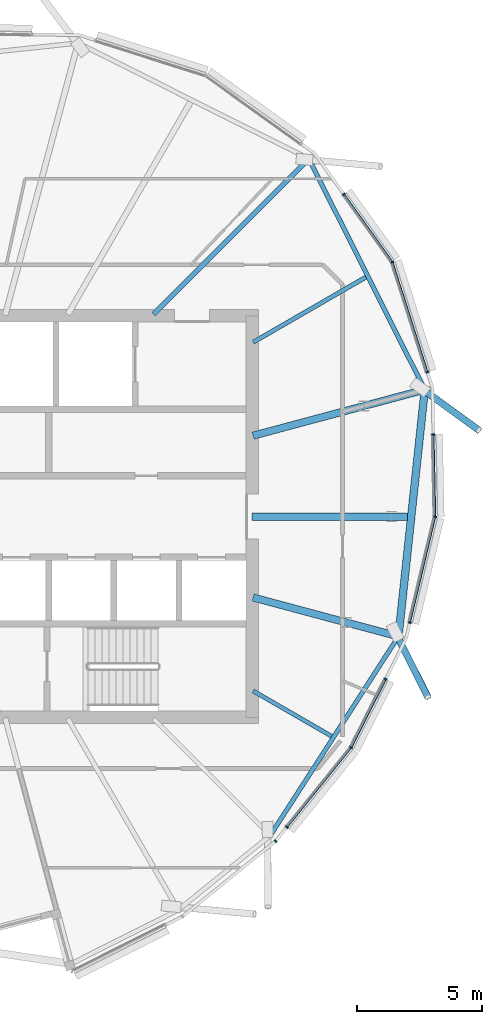
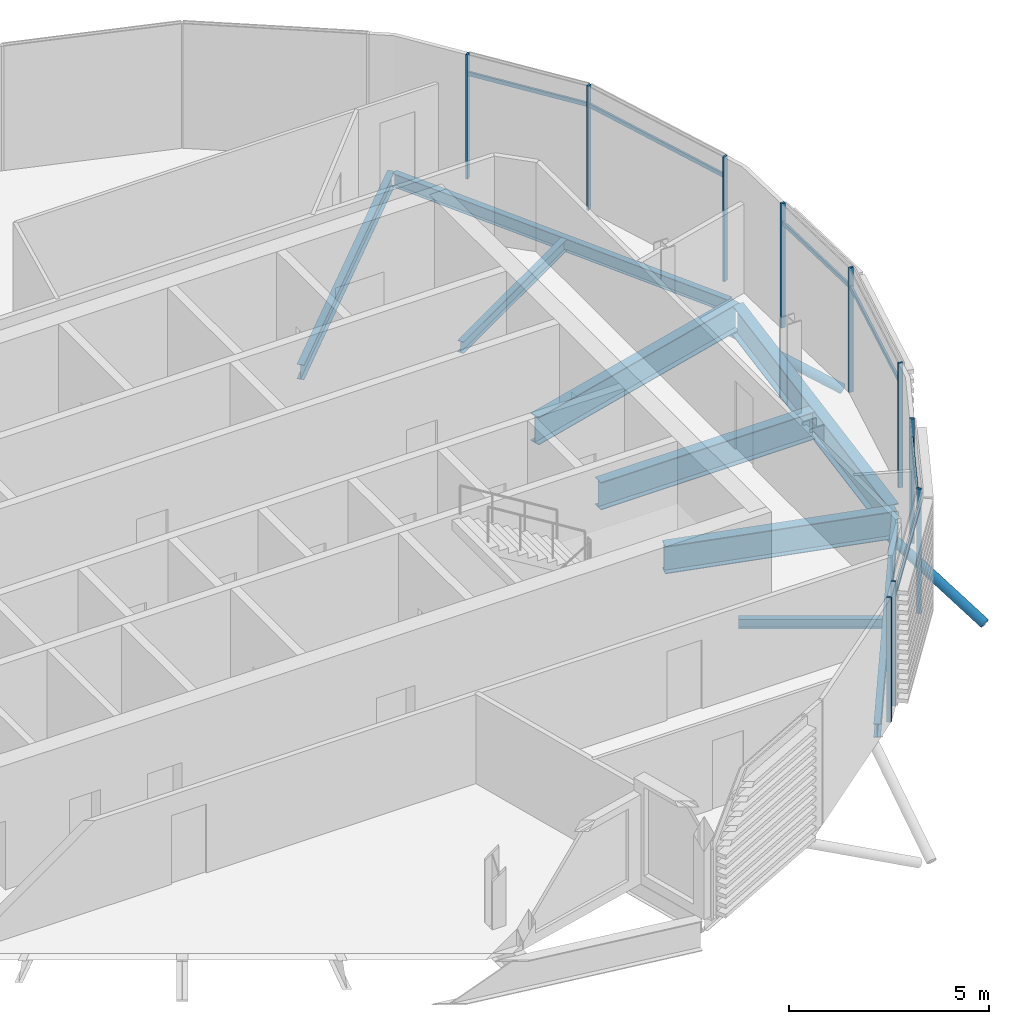
# One storey, part 13 of 33: 18 members, 9 beams, 1 element without a shape of its own.
"""IFC4 building model written with IfcOpenShell, lengths in metres."""

from ifc_helpers import new_model, si_unit, direction, frame, origin, origin_2d, place, context, subcontext, project, spatial, rectangle, hollow_circle, i_section, extrude, clip, halfspace, material, material_profile, profile_set, type_object, element, aggregate, save


model = new_model("IFC4")

# Units and contexts
model_context = context("Model", 3, precision=1e-05, world=origin(), true_north=direction((0.0, 1.0)))
body_context = subcontext(model_context, "Body", "Model", "MODEL_VIEW")
ifc_project = project(units=[si_unit("LENGTHUNIT", "METRE"), si_unit("AREAUNIT", "SQUARE_METRE"), si_unit("VOLUMEUNIT", "CUBIC_METRE"), si_unit("PLANEANGLEUNIT", "RADIAN"), si_unit("MASSUNIT", "GRAM", prefix="KILO")], contexts=[model_context])

# Site, building, storey
site_placement = place(None, origin())
site = spatial("IfcSite", under=ifc_project, at=site_placement, CompositionType="ELEMENT")
building_placement = place(site_placement, origin())
building = spatial("IfcBuilding", under=site, at=building_placement, Name="Rimbun Link Towers", CompositionType="ELEMENT")
storey_placement = place(building_placement, frame((0.0, 0.0, 240.89990234375)))
storey = spatial("IfcBuildingStorey", under=building, at=storey_placement, Name="L59", CompositionType="ELEMENT", Elevation=240.89990234375)

# Curtain wall, members
ifc_material_1 = material(Name="Aluminium 6063-T6 and low-iron glass", Category="aluminium")
curtain_wall_type = type_object("IfcCurtainWallType", Name="CW1-Z4 unitised vision wall (zone 4)", PredefinedType="NOTDEFINED", material=ifc_material_1)
curtain_wall_placement = place(storey_placement, origin())
curtain_wall = element("IfcCurtainWall", 1, at=curtain_wall_placement, inside=storey, type_object=curtain_wall_type, Name="CW1 L59 T2", PredefinedType="NOTDEFINED")
ifc_material_2 = material(Name="Aluminium 6063-T6", Category="aluminium")
ifc_material_profile_1 = material_profile(ifc_material_2, rectangle(XDim=0.1201171875, YDim=0.06005859375, at=origin_2d()), Name="MULLION 60X120")
ifc_profile_set_1 = profile_set([ifc_material_profile_1], Name="Aluminium 6063-T6")
member_type_1 = type_object("IfcMemberType", Name="CW1 mullion 60X120", PredefinedType="MULLION", material=ifc_profile_set_1)
member_1_placement = place(storey_placement, frame((44.68310546875, -12.942138671875, 0.0), z_axis=(0.0, 0.0, 1.0), x_axis=(0.629148262313, -0.777285317003, 0.0)))
member_1 = element("IfcMember", 2, at=member_1_placement, type_object=member_type_1, Name="CW1 mullion", PredefinedType="MULLION", context=body_context, shape_type="SweptSolid", body=[
    extrude(rectangle(XDim=0.1201171875, YDim=0.06005859375, at=origin_2d()), origin(), (0.0, 0.0, 1.0), 3.800048828125),
])
member_2_placement = place(storey_placement, frame((47.702392578125, -9.213623046875, 0.0), z_axis=(0.0, 0.0, 1.0), x_axis=(0.840317451193, -0.542094623862, 0.0)))
member_2 = element("IfcMember", 3, at=member_2_placement, type_object=member_type_1, Name="CW1 mullion", PredefinedType="MULLION", context=body_context, shape_type="SweptSolid", body=[
    extrude(rectangle(XDim=0.1201171875, YDim=0.06005859375, at=origin_2d()), origin(), (0.0, 0.0, 1.0), 3.800048828125),
])
member_3_placement = place(storey_placement, frame((45.13232421875, -12.38916015625, 0.0), z_axis=(0.0, 0.0, 1.0), x_axis=(0.777285317003, -0.629148262313, 0.0)))
member_3 = element("IfcMember", 4, at=member_3_placement, type_object=member_type_1, Name="CW1 mullion", PredefinedType="MULLION", context=body_context, shape_type="SweptSolid", body=[
    extrude(rectangle(XDim=0.1201171875, YDim=0.06005859375, at=origin_2d()), origin(), (0.0, 0.0, 1.0), 3.800048828125),
])
member_4_placement = place(storey_placement, frame((49.075439453125, -6.47998046875, 0.0), z_axis=(0.0, 0.0, 1.0), x_axis=(0.893642754219, -0.448779041213, 0.0)))
member_4 = element("IfcMember", 5, at=member_4_placement, type_object=member_type_1, Name="CW1 mullion", PredefinedType="MULLION", context=body_context, shape_type="SweptSolid", body=[
    extrude(rectangle(XDim=0.1201171875, YDim=0.06005859375, at=origin_2d()), origin(), (0.0, 0.0, 1.0), 3.800048828125),
])
member_5_placement = place(storey_placement, frame((51.0478515625, -0.00634765625, 0.0), z_axis=(0.0, 0.0, 1.0), x_axis=(0.994297670519, -0.106640247566, 0.0)))
member_5 = element("IfcMember", 6, at=member_5_placement, type_object=member_type_1, Name="CW1 mullion", PredefinedType="MULLION", context=body_context, shape_type="SweptSolid", body=[
    extrude(rectangle(XDim=0.1201171875, YDim=0.06005859375, at=origin_2d()), origin(), (0.0, 0.0, 1.0), 3.800048828125),
])
member_6_placement = place(storey_placement, frame((50.039306640625, -4.22607421875, 0.0), z_axis=(0.0, 0.0, 1.0), x_axis=(0.972571783307, -0.23260293703, 0.0)))
member_6 = element("IfcMember", 7, at=member_6_placement, type_object=member_type_1, Name="CW1 mullion", PredefinedType="MULLION", context=body_context, shape_type="SweptSolid", body=[
    extrude(rectangle(XDim=0.1201171875, YDim=0.06005859375, at=origin_2d()), origin(), (0.0, 0.0, 1.0), 3.800048828125),
])
member_7_placement = place(storey_placement, frame((50.979248046875, 3.277587890625, 0.0), z_axis=(0.0, 0.0, 1.0), x_axis=(0.999778112574, 0.021064795684, 0.0)))
member_7 = element("IfcMember", 8, at=member_7_placement, type_object=member_type_1, Name="CW1 mullion", PredefinedType="MULLION", context=body_context, shape_type="SweptSolid", body=[
    extrude(rectangle(XDim=0.1201171875, YDim=0.06005859375, at=origin_2d()), origin(), (0.0, 0.0, 1.0), 3.800048828125),
])
member_8_placement = place(storey_placement, frame((49.343505859375, 10.153564453125, 0.0), z_axis=(0.0, 0.0, 1.0), x_axis=(0.893746586505, 0.448572222848, 0.0)))
member_8 = element("IfcMember", 9, at=member_8_placement, type_object=member_type_1, Name="CW1 mullion", PredefinedType="MULLION", context=body_context, shape_type="SweptSolid", body=[
    extrude(rectangle(XDim=0.1201171875, YDim=0.06005859375, at=origin_2d()), origin(), (0.0, 0.0, 1.0), 3.800048828125),
])
member_9_placement = place(storey_placement, frame((50.740478515625, 5.763427734375, 0.0), z_axis=(0.0, 0.0, 1.0), x_axis=(0.952967816288, 0.303071511559, 0.0)))
member_9 = element("IfcMember", 10, at=member_9_placement, type_object=member_type_1, Name="CW1 mullion", PredefinedType="MULLION", context=body_context, shape_type="SweptSolid", body=[
    extrude(rectangle(XDim=0.1201171875, YDim=0.06005859375, at=origin_2d()), origin(), (0.0, 0.0, 1.0), 3.800048828125),
])
member_10_placement = place(storey_placement, frame((47.407470703125, 12.852783203125, 0.0), z_axis=(0.0, 0.0, 1.0), x_axis=(0.812469826089, 0.583003243297, 0.0)))
member_10 = element("IfcMember", 11, at=member_10_placement, type_object=member_type_1, Name="CW1 mullion", PredefinedType="MULLION", context=body_context, shape_type="SweptSolid", body=[
    extrude(rectangle(XDim=0.1201171875, YDim=0.06005859375, at=origin_2d()), origin(), (0.0, 0.0, 1.0), 3.800048828125),
])
ifc_material_3 = material(Name="Aluminium 6063-T6", Category="aluminium")
ifc_material_profile_2 = material_profile(ifc_material_3, rectangle(XDim=0.06005859375, YDim=0.1201171875, at=origin_2d()), Name="TRANSOM 60X120")
ifc_profile_set_2 = profile_set([ifc_material_profile_2], Name="Aluminium 6063-T6")
member_type_2 = type_object("IfcMemberType", Name="CW1 transom 60X120", PredefinedType="USERDEFINED", material=ifc_profile_set_2)
member_11_placement = place(storey_placement, frame((47.67822265625, -9.24072265625, 3.2001953125), z_axis=(-0.629166772352, -0.77727033429, 0.0), x_axis=(0.77727033429, -0.629166772352, 0.0)))
member_11 = element("IfcMember", 12, at=member_11_placement, type_object=member_type_2, Name="CW1 transom", ObjectType="TRANSOM", PredefinedType="USERDEFINED", context=body_context, shape_type="SweptSolid", body=[
    extrude(rectangle(XDim=0.06005859375, YDim=0.1201171875, at=origin_2d()), origin(), (0.0, 0.0, 1.0), 4.018798828125),
])
member_12_placement = place(storey_placement, frame((49.060302734375, -6.505859375, 3.2001953125), z_axis=(-0.448779272577, -0.89364263803, 0.0), x_axis=(0.89364263803, -0.448779272577, 0.0)))
member_12 = element("IfcMember", 13, at=member_12_placement, type_object=member_type_2, Name="CW1 transom", ObjectType="TRANSOM", PredefinedType="USERDEFINED", context=body_context, shape_type="SweptSolid", body=[
    extrude(rectangle(XDim=0.06005859375, YDim=0.1201171875, at=origin_2d()), origin(), (0.0, 0.0, 1.0), 2.99267578125),
])
member_13_placement = place(storey_placement, frame((51.037841796875, -0.042724609375, 3.2001953125), z_axis=(-0.232650791791, -0.972560336986, 0.0), x_axis=(0.972560336986, -0.232650791791, 0.0)))
member_13 = element("IfcMember", 14, at=member_13_placement, type_object=member_type_2, Name="CW1 transom", ObjectType="TRANSOM", PredefinedType="USERDEFINED", context=body_context, shape_type="SweptSolid", body=[
    extrude(rectangle(XDim=0.06005859375, YDim=0.1201171875, at=origin_2d()), origin(), (0.0, 0.0, 1.0), 4.27099609375),
])
member_14_placement = place(storey_placement, frame((50.977783203125, 3.24755859375, 3.2001953125), z_axis=(0.021097474096, -0.999777423523, 0.0), x_axis=(0.999777423523, 0.021097474096, 0.0)))
member_14 = element("IfcMember", 15, at=member_14_placement, type_object=member_type_2, Name="CW1 transom", ObjectType="TRANSOM", PredefinedType="USERDEFINED", context=body_context, shape_type="SweptSolid", body=[
    extrude(rectangle(XDim=0.06005859375, YDim=0.1201171875, at=origin_2d()), origin(), (0.0, 0.0, 1.0), 3.217041015625),
])
member_15_placement = place(storey_placement, frame((49.354248046875, 10.11572265625, 3.2001953125), z_axis=(0.303074849243, -0.952966754801, 0.0), x_axis=(0.952966754801, 0.303074849243, 0.0)))
member_15 = element("IfcMember", 16, at=member_15_placement, type_object=member_type_2, Name="CW1 transom", ObjectType="TRANSOM", PredefinedType="USERDEFINED", context=body_context, shape_type="SweptSolid", body=[
    extrude(rectangle(XDim=0.06005859375, YDim=0.1201171875, at=origin_2d()), origin(), (0.0, 0.0, 1.0), 4.53759765625),
])
member_16_placement = place(storey_placement, frame((47.42333984375, 12.827392578125, 3.2001953125), z_axis=(0.583004830978, -0.812468686816, 0.0), x_axis=(0.812468686816, 0.583004830978, 0.0)))
member_16 = element("IfcMember", 17, at=member_16_placement, type_object=member_type_2, Name="CW1 transom", ObjectType="TRANSOM", PredefinedType="USERDEFINED", context=body_context, shape_type="SweptSolid", body=[
    extrude(rectangle(XDim=0.06005859375, YDim=0.1201171875, at=origin_2d()), origin(), (0.0, 0.0, 1.0), 3.25244140625),
])
aggregate(curtain_wall, [member_1, member_2, member_3, member_4, member_5, member_6, member_7, member_8, member_9, member_10, member_11, member_12, member_13, member_14, member_15, member_16])

# Members
ifc_material_4 = material(Name="Steel S355J2H", Category="steel")
ifc_material_profile_3 = material_profile(ifc_material_4, hollow_circle(Radius=0.136474609375, WallThickness=0.012451171875, at=origin_2d()), Name="CHS 273x12.5")
ifc_profile_set_3 = profile_set([ifc_material_profile_3], Name="Steel S355J2H")
member_type_3 = type_object("IfcMemberType", Name="Floor edge link CHS 273x12.5", PredefinedType="BRACE", material=ifc_profile_set_3)
member_17_placement = place(storey_placement, frame((49.534912109375, -4.765380859375, -1.099853515625), z_axis=(0.392642174587, -0.781144696249, -0.48543288543), x_axis=(0.893478193519, 0.449106577224, 0.0)))
element("IfcMember", 18, at=member_17_placement, inside=storey, type_object=member_type_3, Name="Floor edge link T2 L59 20", PredefinedType="BRACE", context=body_context, shape_type="Clipping", body=[
    clip(extrude(hollow_circle(Radius=0.136474609375, WallThickness=0.012451171875, at=origin_2d()), frame((0.0, 0.0, -0.512451171875)), (0.0, 0.0, 1.0), 3.63818359375), halfspace(frame((0.0, 0.0, -0.241455078125), z_axis=(0.0, 0.874273935184, -0.48543288543)), False)),
])
member_18_placement = place(storey_placement, frame((50.58349609375, 5.04638671875, -1.099853515625), z_axis=(0.707240703379, -0.514434902623, -0.484940530836), x_axis=(0.588230051104, 0.808693642227, 0.0)))
element("IfcMember", 19, at=member_18_placement, inside=storey, type_object=member_type_3, Name="Floor edge link T2 L59 22", PredefinedType="BRACE", context=body_context, shape_type="Clipping", body=[
    clip(extrude(hollow_circle(Radius=0.136474609375, WallThickness=0.012451171875, at=origin_2d()), frame((0.0, 0.0, -0.512939453125)), (0.0, 0.0, 1.0), 3.641845703125), halfspace(frame((0.0, 0.0, -0.24169921875), z_axis=(0.0, 0.874547129406, -0.484940530836)), False)),
])

# Beams
ifc_material_5 = material(Name="Steel S355J2", Category="steel")
ifc_material_profile_4 = material_profile(ifc_material_5, i_section(OverallWidth=0.1650390625, OverallDepth=0.303466796875, WebThickness=0.006103515625, FlangeThickness=0.01025390625, at=origin_2d()), Name="UB 305x165x40")
ifc_profile_set_4 = profile_set([ifc_material_profile_4], Name="Steel S355J2")
beam_type_1 = type_object("IfcBeamType", Name="UB 305x165x40", PredefinedType="BEAM", material=ifc_profile_set_4)
beam_1_placement = place(storey_placement, frame((43.7919921875, -6.952392578125, -0.29150390625), z_axis=(0.866013024682, -0.500021440621, 0.0), x_axis=(0.500021440621, 0.866013024682, 0.0)))
element("IfcBeam", 20, at=beam_1_placement, inside=storey, type_object=beam_type_1, Name="Radial beam T2 L59 19", PredefinedType="BEAM", context=body_context, shape_type="SweptSolid", body=[
    extrude(i_section(OverallWidth=0.1650390625, OverallDepth=0.303466796875, WebThickness=0.006103515625, FlangeThickness=0.01025390625, at=origin_2d()), origin(), (0.0, 0.0, 1.0), 3.604736328125),
])
ifc_material_6 = material(Name="Steel S355J2", Category="steel")
ifc_material_profile_5 = material_profile(ifc_material_6, i_section(OverallWidth=0.17138671875, OverallDepth=0.35498046875, WebThickness=0.00732421875, FlangeThickness=0.011474609375, at=origin_2d()), Name="UB 356x171x51")
ifc_profile_set_5 = profile_set([ifc_material_profile_5], Name="Steel S355J2")
beam_type_2 = type_object("IfcBeamType", Name="UB 356x171x51", PredefinedType="BEAM", material=ifc_profile_set_5)
beam_2_placement = place(storey_placement, frame((43.793701171875, 6.95361328125, -0.3173828125), z_axis=(0.866039643623, 0.499975335065, 0.0), x_axis=(-0.499975335065, 0.866039643623, 0.0)))
element("IfcBeam", 21, at=beam_2_placement, inside=storey, type_object=beam_type_2, Name="Radial beam T2 L59 23", PredefinedType="BEAM", context=body_context, shape_type="SweptSolid", body=[
    extrude(i_section(OverallWidth=0.17138671875, OverallDepth=0.35498046875, WebThickness=0.00732421875, FlangeThickness=0.011474609375, at=origin_2d()), origin(), (0.0, 0.0, 1.0), 5.181396484375),
])
ifc_material_7 = material(Name="Steel S355J2", Category="steel")
ifc_material_profile_6 = material_profile(ifc_material_7, i_section(OverallWidth=0.177978515625, OverallDepth=0.406494140625, WebThickness=0.0078125, FlangeThickness=0.0126953125, at=origin_2d()), Name="UB 406x178x60")
ifc_profile_set_6 = profile_set([ifc_material_profile_6], Name="Steel S355J2")
beam_type_3 = type_object("IfcBeamType", Name="UB 406x178x60", PredefinedType="BEAM", material=ifc_profile_set_6)
beam_3_placement = place(storey_placement, frame((44.46826171875, -12.716796875, -0.343017578125), z_axis=(0.54162870191, 0.840617837824, 0.0), x_axis=(-0.840617837824, 0.54162870191, 0.0)))
element("IfcBeam", 22, at=beam_3_placement, inside=storey, type_object=beam_type_3, Name="Edge beam T2 L59 18-20", PredefinedType="BEAM", context=body_context, shape_type="SweptSolid", body=[
    extrude(i_section(OverallWidth=0.177978515625, OverallDepth=0.406494140625, WebThickness=0.0078125, FlangeThickness=0.0126953125, at=origin_2d()), origin(), (0.0, 0.0, 1.0), 9.2890625),
])
beam_4_placement = place(storey_placement, frame((50.564208984375, 5.193603515625, -0.343017578125), z_axis=(-0.448428237952, 0.893818838136, 0.0), x_axis=(-0.893818838136, -0.448428237952, 0.0)))
element("IfcBeam", 23, at=beam_4_placement, inside=storey, type_object=beam_type_3, Name="Edge beam T2 L59 22-00", PredefinedType="BEAM", context=body_context, shape_type="SweptSolid", body=[
    extrude(i_section(OverallWidth=0.177978515625, OverallDepth=0.406494140625, WebThickness=0.0078125, FlangeThickness=0.0126953125, at=origin_2d()), origin(), (0.0, 0.0, 1.0), 10.04638671875),
])
ifc_material_8 = material(Name="Steel S355J2", Category="steel")
ifc_material_profile_7 = material_profile(ifc_material_8, i_section(OverallWidth=0.18994140625, OverallDepth=0.453369140625, WebThickness=0.008544921875, FlangeThickness=0.0126953125, at=origin_2d()), Name="UB 457x191x67")
ifc_profile_set_7 = profile_set([ifc_material_profile_7], Name="Steel S355J2")
beam_type_4 = type_object("IfcBeamType", Name="UB 457x191x67", PredefinedType="BEAM", material=ifc_profile_set_7)
beam_5_placement = place(storey_placement, frame((39.81787109375, 8.06787109375, -0.36669921875), z_axis=(0.707106781187, 0.707106781187, 0.0), x_axis=(-0.707106781187, 0.707106781187, 0.0)))
element("IfcBeam", 24, at=beam_5_placement, inside=storey, type_object=beam_type_4, Name="Radial beam T2 L59 00", PredefinedType="BEAM", context=body_context, shape_type="SweptSolid", body=[
    extrude(i_section(OverallWidth=0.18994140625, OverallDepth=0.453369140625, WebThickness=0.008544921875, FlangeThickness=0.0126953125, at=origin_2d()), origin(), (0.0, 0.0, 1.0), 8.76220703125),
])
ifc_material_9 = material(Name="Steel S355J2", Category="steel")
ifc_material_profile_8 = material_profile(ifc_material_9, i_section(OverallWidth=0.29248046875, OverallDepth=0.8408203125, WebThickness=0.0126953125, FlangeThickness=0.021728515625, at=origin_2d()), Name="UB 838x292x194")
ifc_profile_set_8 = profile_set([ifc_material_profile_8], Name="Steel S355J2")
beam_type_5 = type_object("IfcBeamType", Name="UB 838x292x194", PredefinedType="BEAM", material=ifc_profile_set_8)
beam_6_placement = place(storey_placement, frame((43.788818359375, -3.225830078125, -0.560302734375), z_axis=(0.965928249756, -0.25881000043, 0.0), x_axis=(0.25881000043, 0.965928249756, 0.0)))
element("IfcBeam", 25, at=beam_6_placement, inside=storey, type_object=beam_type_5, Name="Radial beam T2 L59 20", PredefinedType="BEAM", context=body_context, shape_type="SweptSolid", body=[
    extrude(i_section(OverallWidth=0.29248046875, OverallDepth=0.8408203125, WebThickness=0.0126953125, FlangeThickness=0.021728515625, at=origin_2d()), origin(), (0.0, 0.0, 1.0), 5.99853515625),
])
beam_7_placement = place(storey_placement, frame((43.7509765625, 0.0, -0.560302734375), z_axis=(1.0, 0.0, 0.0), x_axis=(0.0, 1.0, 0.0)))
element("IfcBeam", 26, at=beam_7_placement, inside=storey, type_object=beam_type_5, Name="Radial beam T2 L59 21", PredefinedType="BEAM", context=body_context, shape_type="SweptSolid", body=[
    extrude(i_section(OverallWidth=0.29248046875, OverallDepth=0.8408203125, WebThickness=0.0126953125, FlangeThickness=0.021728515625, at=origin_2d()), origin(), (0.0, 0.0, 1.0), 6.186767578125),
])
beam_8_placement = place(storey_placement, frame((43.788818359375, 3.225830078125, -0.560302734375), z_axis=(0.965926515246, 0.258816473865, 0.0), x_axis=(-0.258816473865, 0.965926515246, 0.0)))
element("IfcBeam", 27, at=beam_8_placement, inside=storey, type_object=beam_type_5, Name="Radial beam T2 L59 22", PredefinedType="BEAM", context=body_context, shape_type="SweptSolid", body=[
    extrude(i_section(OverallWidth=0.29248046875, OverallDepth=0.8408203125, WebThickness=0.0126953125, FlangeThickness=0.021728515625, at=origin_2d()), origin(), (0.0, 0.0, 1.0), 7.084228515625),
])
ifc_material_10 = material(Name="Steel S355J2", Category="steel")
ifc_material_profile_9 = material_profile(ifc_material_10, i_section(OverallWidth=0.305419921875, OverallDepth=0.91845703125, WebThickness=0.017333984375, FlangeThickness=0.02783203125, at=origin_2d()), Name="UB 914x305x253")
ifc_profile_set_9 = profile_set([ifc_material_profile_9], Name="Steel S355J2")
beam_type_6 = type_object("IfcBeamType", Name="UB 914x305x253", PredefinedType="BEAM", material=ifc_profile_set_9)
beam_9_placement = place(storey_placement, frame((49.598876953125, -4.630126953125, -0.59912109375), z_axis=(0.105991791066, 0.994367004796, 0.0), x_axis=(-0.994367004796, 0.105991791066, 0.0)))
element("IfcBeam", 28, at=beam_9_placement, inside=storey, type_object=beam_type_6, Name="Edge beam T2 L59 20-22", PredefinedType="BEAM", context=body_context, shape_type="SweptSolid", body=[
    extrude(i_section(OverallWidth=0.305419921875, OverallDepth=0.91845703125, WebThickness=0.017333984375, FlangeThickness=0.02783203125, at=origin_2d()), origin(), (0.0, 0.0, 1.0), 9.586669921875),
])

save(model, "model.ifc")
